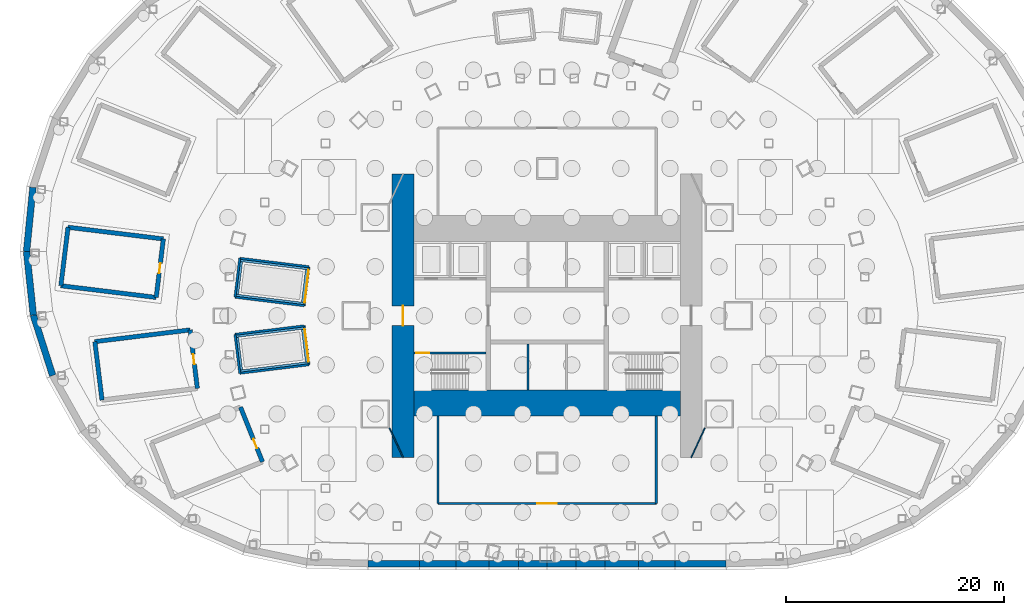
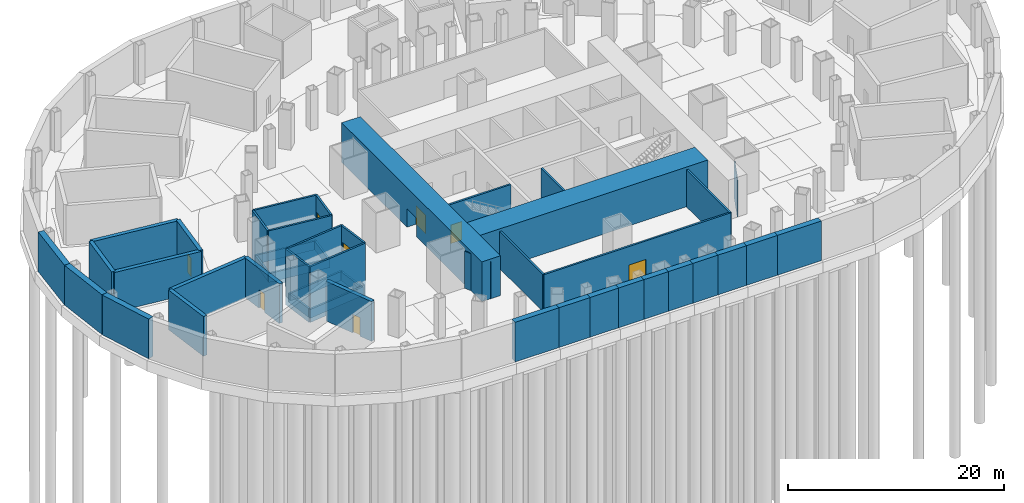
# One storey, part 4 of 11: 46 walls, 8 doors, 8 openings.
"""IFC4 building model written with IfcOpenShell, lengths in metres."""

from ifc_helpers import new_model, si_unit, direction, frame, frame_2d, origin, place, context, subcontext, project, spatial, rectangle, extrude, material, layer, layer_set, type_object, element, fill, save


model = new_model("IFC4")

# Units and contexts
model_context = context("Model", 3, precision=1e-05, world=origin(), true_north=direction((0.0, 1.0)))
body_context = subcontext(model_context, "Body", "Model", "MODEL_VIEW")
ifc_project = project(units=[si_unit("LENGTHUNIT", "METRE"), si_unit("AREAUNIT", "SQUARE_METRE"), si_unit("VOLUMEUNIT", "CUBIC_METRE"), si_unit("PLANEANGLEUNIT", "RADIAN"), si_unit("MASSUNIT", "GRAM", prefix="KILO")], contexts=[model_context])

# Site, building, storey
site_placement = place(None, origin())
site = spatial("IfcSite", under=ifc_project, at=site_placement, CompositionType="ELEMENT")
building_placement = place(site_placement, origin())
building = spatial("IfcBuilding", under=site, at=building_placement, Name="Lantaw Convention Tower", CompositionType="ELEMENT")
storey_placement = place(building_placement, frame((0.0, 0.0, -10.0)))
storey = spatial("IfcBuildingStorey", under=building, at=storey_placement, Name="B2", CompositionType="ELEMENT", Elevation=-10.0)

# Walls
ifc_material_1 = material(Name="Concrete C40/50", Category="concrete")
ifc_layer_1 = layer(ifc_material_1, 0.60009765625)
ifc_layer_set_1 = layer_set([ifc_layer_1], Name="Basement wall 600")
wall_type_1 = type_object("IfcWallType", Name="Basement wall 600", PredefinedType="SOLIDWALL", material=ifc_layer_set_1)
wall_1_placement = place(storey_placement, frame((-47.114501953125, 11.758056640625, 0.0), z_axis=(0.0, 0.0, 1.0), x_axis=(-0.099068856923, -0.99508058045, 0.0)))
element("IfcWall", 1, at=wall_1_placement, inside=storey, type_object=wall_type_1, Name="Basement retaining wall 23", PredefinedType="SOLIDWALL", context=body_context, shape_type="SweptSolid", body=[
    extrude(rectangle(XDim=5.892333984375, YDim=0.60009765625, at=frame_2d((2.9462890625, 0.0))), origin(), (0.0, 0.0, 1.0), 4.5),
])
wall_2_placement = place(storey_placement, frame((-47.6982421875, 5.894775390625, 0.0), z_axis=(0.0, 0.0, 1.0), x_axis=(0.105848228596, -0.994382296958, 0.0)))
element("IfcWall", 2, at=wall_2_placement, inside=storey, type_object=wall_type_1, Name="Basement retaining wall 24", PredefinedType="SOLIDWALL", context=body_context, shape_type="SweptSolid", body=[
    extrude(rectangle(XDim=5.865478515625, YDim=0.60009765625, at=frame_2d((2.9326171875, 0.0))), origin(), (0.0, 0.0, 1.0), 4.5),
])
wall_3_placement = place(storey_placement, frame((-47.077392578125, 0.062255859375, 0.0), z_axis=(0.0, 0.0, 1.0), x_axis=(0.304958517607, -0.9523656349, 0.0)))
element("IfcWall", 3, at=wall_3_placement, inside=storey, type_object=wall_type_1, Name="Basement retaining wall 25", PredefinedType="SOLIDWALL", context=body_context, shape_type="SweptSolid", body=[
    extrude(rectangle(XDim=5.8154296875, YDim=0.60009765625, at=frame_2d((2.90771484375, 0.0))), origin(), (0.0, 0.0, 1.0), 4.5),
])
wall_4_placement = place(storey_placement, frame((-16.4013671875, -22.699951171875, 0.0), z_axis=(0.0, 0.0, 1.0), x_axis=(1.0, 0.0, 0.0)))
element("IfcWall", 4, at=wall_4_placement, inside=storey, type_object=wall_type_1, Name="Basement retaining wall 32", PredefinedType="SOLIDWALL", context=body_context, shape_type="SweptSolid", body=[
    extrude(rectangle(XDim=4.682373046875, YDim=0.60009765625, at=frame_2d((2.34130859375, 0.0))), origin(), (0.0, 0.0, 1.0), 4.5),
])
wall_5_placement = place(storey_placement, frame((-11.718994140625, -22.699951171875, 0.0), z_axis=(0.0, 0.0, 1.0), x_axis=(1.0, 0.0, 0.0)))
element("IfcWall", 5, at=wall_5_placement, inside=storey, type_object=wall_type_1, Name="Basement retaining wall 33", PredefinedType="SOLIDWALL", context=body_context, shape_type="SweptSolid", body=[
    extrude(rectangle(XDim=3.34765625, YDim=0.60009765625, at=frame_2d((1.673828125, 0.0))), origin(), (0.0, 0.0, 1.0), 4.5),
])
wall_6_placement = place(storey_placement, frame((-8.371337890625, -22.699951171875, 0.0), z_axis=(0.0, 0.0, 1.0), x_axis=(1.0, 0.0, 0.0)))
element("IfcWall", 6, at=wall_6_placement, inside=storey, type_object=wall_type_1, Name="Basement retaining wall 34", PredefinedType="SOLIDWALL", context=body_context, shape_type="SweptSolid", body=[
    extrude(rectangle(XDim=3.061279296875, YDim=0.60009765625, at=frame_2d((1.53076171875, 0.0))), origin(), (0.0, 0.0, 1.0), 4.5),
])
wall_7_placement = place(storey_placement, frame((-5.31005859375, -22.699951171875, 0.0), z_axis=(0.0, 0.0, 1.0), x_axis=(1.0, 0.0, 0.0)))
element("IfcWall", 7, at=wall_7_placement, inside=storey, type_object=wall_type_1, Name="Basement retaining wall 35", PredefinedType="SOLIDWALL", context=body_context, shape_type="SweptSolid", body=[
    extrude(rectangle(XDim=2.689453125, YDim=0.60009765625, at=frame_2d((1.3447265625, 0.0))), origin(), (0.0, 0.0, 1.0), 4.5),
])
for number, where, z_axis, x_axis, name in (
    (8, (-2.62060546875, -22.699951171875, 0.0), (0.0, 0.0, 1.0), (1.0, 0.0, 0.0), "Basement retaining wall 36"),
    (9, (0.0, -22.699951171875, 0.0), (0.0, 0.0, 1.0), (1.0, 0.0, 0.0), "Basement retaining wall 37"),
):
    element("IfcWall", number, at=place(storey_placement, frame(where, z_axis=z_axis, x_axis=x_axis)), inside=storey, type_object=wall_type_1, Name=name, PredefinedType="SOLIDWALL", context=body_context, shape_type="SweptSolid", body=[
        extrude(rectangle(XDim=2.62060546875, YDim=0.60009765625, at=frame_2d((1.310302734375, 0.0))), origin(), (0.0, 0.0, 1.0), 4.5),
    ])
wall_8_placement = place(storey_placement, frame((2.62060546875, -22.699951171875, 0.0), z_axis=(0.0, 0.0, 1.0), x_axis=(1.0, 0.0, 0.0)))
element("IfcWall", 10, at=wall_8_placement, inside=storey, type_object=wall_type_1, Name="Basement retaining wall 38", PredefinedType="SOLIDWALL", context=body_context, shape_type="SweptSolid", body=[
    extrude(rectangle(XDim=2.689453125, YDim=0.60009765625, at=frame_2d((1.3447265625, 0.0))), origin(), (0.0, 0.0, 1.0), 4.5),
])
wall_9_placement = place(storey_placement, frame((5.31005859375, -22.699951171875, 0.0), z_axis=(0.0, 0.0, 1.0), x_axis=(1.0, 0.0, 0.0)))
element("IfcWall", 11, at=wall_9_placement, inside=storey, type_object=wall_type_1, Name="Basement retaining wall 39", PredefinedType="SOLIDWALL", context=body_context, shape_type="SweptSolid", body=[
    extrude(rectangle(XDim=3.061279296875, YDim=0.60009765625, at=frame_2d((1.53076171875, 0.0))), origin(), (0.0, 0.0, 1.0), 4.5),
])
wall_10_placement = place(storey_placement, frame((8.371337890625, -22.699951171875, 0.0), z_axis=(0.0, 0.0, 1.0), x_axis=(1.0, 0.0, 0.0)))
element("IfcWall", 12, at=wall_10_placement, inside=storey, type_object=wall_type_1, Name="Basement retaining wall 40", PredefinedType="SOLIDWALL", context=body_context, shape_type="SweptSolid", body=[
    extrude(rectangle(XDim=3.34765625, YDim=0.60009765625, at=frame_2d((1.673828125, 0.0))), origin(), (0.0, 0.0, 1.0), 4.5),
])
wall_11_placement = place(storey_placement, frame((11.718994140625, -22.699951171875, 0.0), z_axis=(0.0, 0.0, 1.0), x_axis=(1.0, 0.0, 0.0)))
element("IfcWall", 13, at=wall_11_placement, inside=storey, type_object=wall_type_1, Name="Basement retaining wall 41", PredefinedType="SOLIDWALL", context=body_context, shape_type="SweptSolid", body=[
    extrude(rectangle(XDim=4.682373046875, YDim=0.60009765625, at=frame_2d((2.34130859375, 0.0))), origin(), (0.0, 0.0, 1.0), 4.5),
])

# Wall, opening, door
ifc_material_2 = material(Name="Concrete C60/75", Category="concrete")
ifc_layer_2 = layer(ifc_material_2, 0.199951171875)
ifc_layer_set_2 = layer_set([ifc_layer_2], Name="Core wall 200")
wall_type_2 = type_object("IfcWallType", Name="Core wall 200", PredefinedType="SHEAR", material=ifc_layer_set_2)
wall_12_placement = place(storey_placement, frame((-5.60009765625, -3.39990234375, 0.0), z_axis=(0.0, 0.0, 1.0), x_axis=(-1.0, 0.0, 0.0)))
wall_12 = element("IfcWall", 14, at=wall_12_placement, inside=storey, type_object=wall_type_2, Name="Core wall WS", PredefinedType="SHEAR", context=body_context, shape_type="SweptSolid", body=[
    extrude(rectangle(XDim=6.599853515625, YDim=0.199951171875, at=frame_2d((3.2998046875, 0.0))), origin(), (0.0, 0.0, 1.0), 4.5),
])
opening_1_placement = place(wall_12_placement, frame((5.199951171875, 0.0, 0.0)))
opening_1 = element("IfcOpeningElement", 15, at=opening_1_placement, cuts=wall_12, Name="Opening B2.04", PredefinedType="OPENING", context=body_context, shape_type="SweptSolid", body=[
    extrude(rectangle(XDim=1.199951171875, YDim=2.10009765625, at=frame_2d((0.60009765625, 1.050048828125))), frame((0.0, 0.10986328125, 0.0), z_axis=(0.0, -1.0, 0.0), x_axis=(1.0, 0.0, 0.0)), (0.0, 0.0, 1.0), 0.219970703125),
])
ifc_material_3 = material(Name="Steel, fire rated", Category="steel")
door_type_1 = type_object("IfcDoorType", Name="Stair door FD90", OperationType="SINGLE_SWING_RIGHT", PredefinedType="DOOR", material=ifc_material_3)
door_1_placement = place(opening_1_placement, origin())
door_1 = element("IfcDoor", 16, at=door_1_placement, inside=storey, type_object=door_type_1, Name="Exit stair door", OperationType="SINGLE_SWING_RIGHT", OverallHeight=2.10009765625, OverallWidth=1.199951171875, PredefinedType="DOOR", context=body_context, shape_type="SweptSolid", body=[
    extrude(rectangle(XDim=1.199951171875, YDim=2.10009765625, at=frame_2d((0.60009765625, 1.050048828125))), frame((0.0, 0.02490234375, 0.0), z_axis=(0.0, -1.0, 0.0), x_axis=(1.0, 0.0, 0.0)), (0.0, 0.0, 1.0), 0.050048828125),
])
fill(opening_1, door_1)

ifc_layer_3 = layer(ifc_material_2, 2.0)
ifc_layer_set_3 = layer_set([ifc_layer_3], Name="Core wall 2000")
wall_type_3 = type_object("IfcWallType", Name="Core wall 2000", PredefinedType="SHEAR", material=ifc_layer_set_3)
wall_13_placement = place(storey_placement, frame((-13.199951171875, 13.0, 0.0), z_axis=(0.0, 0.0, 1.0), x_axis=(0.0, -1.0, 0.0)))
wall_13 = element("IfcWall", 17, at=wall_13_placement, inside=storey, type_object=wall_type_3, Name="Core wall W", PredefinedType="SHEAR", context=body_context, shape_type="SweptSolid", body=[
    extrude(rectangle(XDim=26.0, YDim=2.0, at=frame_2d((13.0, 0.0))), origin(), (0.0, 0.0, 1.0), 4.5),
])
opening_2_placement = place(wall_13_placement, frame((12.10009765625, 0.0, 0.0)))
opening_2 = element("IfcOpeningElement", 18, at=opening_2_placement, cuts=wall_13, Name="Opening B2.06", PredefinedType="OPENING", context=body_context, shape_type="SweptSolid", body=[
    extrude(rectangle(XDim=1.800048828125, YDim=2.10009765625, at=frame_2d((0.89990234375, 1.050048828125))), frame((0.0, 1.010009765625, 0.0), z_axis=(0.0, -1.0, 0.0), x_axis=(1.0, 0.0, 0.0)), (0.0, 0.0, 1.0), 2.02001953125),
])
door_type_2 = type_object("IfcDoorType", Name="Lobby double door FD90", OperationType="DOUBLE_DOOR_DOUBLE_SWING", PredefinedType="DOOR", material=ifc_material_3)
door_2_placement = place(opening_2_placement, origin())
door_2 = element("IfcDoor", 19, at=door_2_placement, inside=storey, type_object=door_type_2, Name="Firefighting lobby door", OperationType="DOUBLE_DOOR_DOUBLE_SWING", OverallHeight=2.10009765625, OverallWidth=1.800048828125, PredefinedType="DOOR", context=body_context, shape_type="SweptSolid", body=[
    extrude(rectangle(XDim=1.800048828125, YDim=2.10009765625, at=frame_2d((0.89990234375, 1.050048828125))), frame((0.0, 0.02490234375, 0.0), z_axis=(0.0, -1.0, 0.0), x_axis=(1.0, 0.0, 0.0)), (0.0, 0.0, 1.0), 0.050048828125),
])
fill(opening_2, door_2)

# Walls
ifc_layer_4 = layer(ifc_material_2, 2.39990234375)
ifc_layer_set_4 = layer_set([ifc_layer_4], Name="Core wall 2400")
wall_type_4 = type_object("IfcWallType", Name="Core wall 2400", PredefinedType="SHEAR", material=ifc_layer_set_4)
wall_14_placement = place(storey_placement, frame((-12.199951171875, -8.0, 0.0), z_axis=(0.0, 0.0, 1.0), x_axis=(1.0, 0.0, 0.0)))
element("IfcWall", 20, at=wall_14_placement, inside=storey, type_object=wall_type_4, Name="Core wall S", PredefinedType="SHEAR", context=body_context, shape_type="SweptSolid", body=[
    extrude(rectangle(XDim=24.39990234375, YDim=2.39990234375, at=frame_2d((12.199951171875, 0.0))), origin(), (0.0, 0.0, 1.0), 4.5),
])
ifc_layer_5 = layer(ifc_material_1, 0.199951171875)
ifc_layer_set_5 = layer_set([ifc_layer_5], Name="Lift pit wall 200")
wall_type_5 = type_object("IfcWallType", Name="Lift pit wall 200", PredefinedType="SOLIDWALL", material=ifc_layer_set_5)
wall_15_placement = place(storey_placement, frame((-21.938720703125, 4.3056640625, -1.800048828125), z_axis=(0.0, 0.0, 1.0), x_axis=(-0.992545711723, 0.121872926199, 0.0)))
element("IfcWall", 21, at=wall_15_placement, inside=storey, type_object=wall_type_5, Name="Lift pit wall", PredefinedType="SOLIDWALL", context=body_context, shape_type="SweptSolid", body=[
    extrude(rectangle(XDim=6.199951171875, YDim=0.199951171875, at=frame_2d((3.10009765625, 0.0))), origin(), (0.0, 0.0, 1.0), 1.0),
])
wall_16_placement = place(storey_placement, frame((-28.005615234375, 4.949951171875, -1.800048828125), z_axis=(0.0, 0.0, 1.0), x_axis=(-0.121820978688, -0.992552088886, 0.0)))
element("IfcWall", 22, at=wall_16_placement, inside=storey, type_object=wall_type_5, Name="Lift pit wall", PredefinedType="SOLIDWALL", context=body_context, shape_type="SweptSolid", body=[
    extrude(rectangle(XDim=3.000244140625, YDim=0.199951171875, at=frame_2d((1.5, 0.0))), origin(), (0.0, 0.0, 1.0), 1.0),
])
wall_17_placement = place(storey_placement, frame((-28.482666015625, 1.88525390625, -1.800048828125), z_axis=(0.0, 0.0, 1.0), x_axis=(0.992545711723, -0.121872926199, 0.0)))
element("IfcWall", 23, at=wall_17_placement, inside=storey, type_object=wall_type_5, Name="Lift pit wall", PredefinedType="SOLIDWALL", context=body_context, shape_type="SweptSolid", body=[
    extrude(rectangle(XDim=6.199951171875, YDim=0.199951171875, at=frame_2d((3.10009765625, 0.0))), origin(), (0.0, 0.0, 1.0), 1.0),
])
wall_18_placement = place(storey_placement, frame((-22.415771484375, 1.240966796875, -1.800048828125), z_axis=(0.0, 0.0, 1.0), x_axis=(0.121820978688, 0.992552088886, 0.0)))
element("IfcWall", 24, at=wall_18_placement, inside=storey, type_object=wall_type_5, Name="Lift pit wall", PredefinedType="SOLIDWALL", context=body_context, shape_type="SweptSolid", body=[
    extrude(rectangle(XDim=3.000244140625, YDim=0.199951171875, at=frame_2d((1.5, 0.0))), origin(), (0.0, 0.0, 1.0), 1.0),
])
wall_19_placement = place(storey_placement, frame((-22.328857421875, -1.129638671875, -1.800048828125), z_axis=(0.0, 0.0, 1.0), x_axis=(-0.992545711723, -0.121872926199, 0.0)))
element("IfcWall", 25, at=wall_19_placement, inside=storey, type_object=wall_type_5, Name="Lift pit wall", PredefinedType="SOLIDWALL", context=body_context, shape_type="SweptSolid", body=[
    extrude(rectangle(XDim=6.199951171875, YDim=0.199951171875, at=frame_2d((3.10009765625, 0.0))), origin(), (0.0, 0.0, 1.0), 1.0),
])
wall_20_placement = place(storey_placement, frame((-28.37109375, -1.97216796875, -1.800048828125), z_axis=(0.0, 0.0, 1.0), x_axis=(0.121820978688, -0.992552088886, 0.0)))
element("IfcWall", 26, at=wall_20_placement, inside=storey, type_object=wall_type_5, Name="Lift pit wall", PredefinedType="SOLIDWALL", context=body_context, shape_type="SweptSolid", body=[
    extrude(rectangle(XDim=3.000244140625, YDim=0.199951171875, at=frame_2d((1.5, 0.0))), origin(), (0.0, 0.0, 1.0), 1.0),
])
wall_21_placement = place(storey_placement, frame((-28.092529296875, -5.061279296875, -1.800048828125), z_axis=(0.0, 0.0, 1.0), x_axis=(0.992545711723, 0.121872926199, 0.0)))
element("IfcWall", 27, at=wall_21_placement, inside=storey, type_object=wall_type_5, Name="Lift pit wall", PredefinedType="SOLIDWALL", context=body_context, shape_type="SweptSolid", body=[
    extrude(rectangle(XDim=6.199951171875, YDim=0.199951171875, at=frame_2d((3.10009765625, 0.0))), origin(), (0.0, 0.0, 1.0), 1.0),
])
wall_22_placement = place(storey_placement, frame((-22.05029296875, -4.21875, -1.800048828125), z_axis=(0.0, 0.0, 1.0), x_axis=(-0.121820978688, 0.992552088886, 0.0)))
element("IfcWall", 28, at=wall_22_placement, inside=storey, type_object=wall_type_5, Name="Lift pit wall", PredefinedType="SOLIDWALL", context=body_context, shape_type="SweptSolid", body=[
    extrude(rectangle(XDim=3.000244140625, YDim=0.199951171875, at=frame_2d((1.5, 0.0))), origin(), (0.0, 0.0, 1.0), 1.0),
])
ifc_material_4 = material(Name="Concrete blockwork, fire rated", Category="masonry")
ifc_layer_6 = layer(ifc_material_4, 0.199951171875)
ifc_layer_set_6 = layer_set([ifc_layer_6], Name="Lift shaft wall 200 EI 120 load-bearing")
wall_type_6 = type_object("IfcWallType", Name="Lift shaft wall 200 EI 120 load-bearing", PredefinedType="SOLIDWALL", material=ifc_layer_set_6)
wall_23_placement = place(storey_placement, frame((-21.815185546875, 4.4921875, -2.10009765625), z_axis=(0.0, 0.0, 1.0), x_axis=(-0.992549526583, 0.121841853565, 0.0)))
element("IfcWall", 29, at=wall_23_placement, inside=storey, type_object=wall_type_6, Name="Lift shaft wall", PredefinedType="SOLIDWALL", context=body_context, shape_type="SweptSolid", body=[
    extrude(rectangle(XDim=6.39990234375, YDim=0.199951171875, at=frame_2d((3.199951171875, 0.0))), origin(), (0.0, 0.0, 1.0), 6.300048828125),
])
wall_24_placement = place(storey_placement, frame((-28.16748046875, 5.27197265625, -2.10009765625), z_axis=(0.0, 0.0, 1.0), x_axis=(-0.121872547154, -0.992545758265, 0.0)))
element("IfcWall", 30, at=wall_24_placement, inside=storey, type_object=wall_type_6, Name="Lift shaft wall", PredefinedType="SOLIDWALL", context=body_context, shape_type="SweptSolid", body=[
    extrude(rectangle(XDim=3.599853515625, YDim=0.199951171875, at=frame_2d((1.7998046875, 0.0))), origin(), (0.0, 0.0, 1.0), 6.300048828125),
])
wall_25_placement = place(storey_placement, frame((-28.606201171875, 1.698974609375, -2.10009765625), z_axis=(0.0, 0.0, 1.0), x_axis=(0.992544912608, -0.121879434097, 0.0)))
element("IfcWall", 31, at=wall_25_placement, inside=storey, type_object=wall_type_6, Name="Lift shaft wall", PredefinedType="SOLIDWALL", context=body_context, shape_type="SweptSolid", body=[
    extrude(rectangle(XDim=6.39990234375, YDim=0.199951171875, at=frame_2d((3.199951171875, 0.0))), origin(), (0.0, 0.0, 1.0), 6.300048828125),
])

# Wall, opening, door
wall_26_placement = place(storey_placement, frame((-22.25390625, 0.9189453125, -2.10009765625), z_axis=(0.0, 0.0, 1.0), x_axis=(0.121864343918, 0.992546765488, 0.0)))
wall_26 = element("IfcWall", 32, at=wall_26_placement, inside=storey, type_object=wall_type_6, Name="Lift shaft wall", PredefinedType="SOLIDWALL", context=body_context, shape_type="SweptSolid", body=[
    extrude(rectangle(XDim=3.60009765625, YDim=0.199951171875, at=frame_2d((1.800048828125, 0.0))), origin(), (0.0, 0.0, 1.0), 6.300048828125),
])
opening_3_placement = place(wall_26_placement, frame((0.300048828125, 0.0, 2.10009765625)))
opening_3 = element("IfcOpeningElement", 33, at=opening_3_placement, cuts=wall_26, Name="Opening LDCL1", PredefinedType="OPENING", context=body_context, shape_type="SweptSolid", body=[
    extrude(rectangle(XDim=3.0, YDim=2.39990234375, at=frame_2d((1.5, 1.199951171875))), frame((0.0, 0.10986328125, 0.0), z_axis=(0.0, -1.0, 0.0), x_axis=(1.0, 0.0, 0.0)), (0.0, 0.0, 1.0), 0.219970703125),
])
ifc_material_5 = material(Name="Stainless steel", Category="steel")
door_type_3 = type_object("IfcDoorType", Name="Car lift gate 3000x2400", OperationType="DOUBLE_DOOR_SLIDING", PredefinedType="DOOR", material=ifc_material_5)
door_3_placement = place(opening_3_placement, origin())
door_3 = element("IfcDoor", 34, at=door_3_placement, inside=storey, type_object=door_type_3, Name="Lift landing door CL1", OperationType="DOUBLE_DOOR_SLIDING", OverallHeight=2.39990234375, OverallWidth=3.0, PredefinedType="DOOR", context=body_context, shape_type="SweptSolid", body=[
    extrude(rectangle(XDim=3.0, YDim=2.39990234375, at=frame_2d((1.5, 1.199951171875))), frame((0.0, 0.02490234375, 0.0), z_axis=(0.0, -1.0, 0.0), x_axis=(1.0, 0.0, 0.0)), (0.0, 0.0, 1.0), 0.050048828125),
])
fill(opening_3, door_3)

# Walls
wall_27_placement = place(storey_placement, frame((-22.25390625, -0.9189453125, -2.10009765625), z_axis=(0.0, 0.0, 1.0), x_axis=(-0.992544912608, -0.121879434097, 0.0)))
element("IfcWall", 35, at=wall_27_placement, inside=storey, type_object=wall_type_6, Name="Lift shaft wall", PredefinedType="SOLIDWALL", context=body_context, shape_type="SweptSolid", body=[
    extrude(rectangle(XDim=6.39990234375, YDim=0.199951171875, at=frame_2d((3.199951171875, 0.0))), origin(), (0.0, 0.0, 1.0), 6.300048828125),
])
wall_28_placement = place(storey_placement, frame((-28.606201171875, -1.698974609375, -2.10009765625), z_axis=(0.0, 0.0, 1.0), x_axis=(0.121872547154, -0.992545758265, 0.0)))
element("IfcWall", 36, at=wall_28_placement, inside=storey, type_object=wall_type_6, Name="Lift shaft wall", PredefinedType="SOLIDWALL", context=body_context, shape_type="SweptSolid", body=[
    extrude(rectangle(XDim=3.599853515625, YDim=0.199951171875, at=frame_2d((1.7998046875, 0.0))), origin(), (0.0, 0.0, 1.0), 6.300048828125),
])
wall_29_placement = place(storey_placement, frame((-28.16748046875, -5.27197265625, -2.10009765625), z_axis=(0.0, 0.0, 1.0), x_axis=(0.992549526583, 0.121841853565, 0.0)))
element("IfcWall", 37, at=wall_29_placement, inside=storey, type_object=wall_type_6, Name="Lift shaft wall", PredefinedType="SOLIDWALL", context=body_context, shape_type="SweptSolid", body=[
    extrude(rectangle(XDim=6.39990234375, YDim=0.199951171875, at=frame_2d((3.199951171875, 0.0))), origin(), (0.0, 0.0, 1.0), 6.300048828125),
])

# Wall, opening, door
wall_30_placement = place(storey_placement, frame((-21.815185546875, -4.4921875, -2.10009765625), z_axis=(0.0, 0.0, 1.0), x_axis=(-0.121864343918, 0.992546765488, 0.0)))
wall_30 = element("IfcWall", 38, at=wall_30_placement, inside=storey, type_object=wall_type_6, Name="Lift shaft wall", PredefinedType="SOLIDWALL", context=body_context, shape_type="SweptSolid", body=[
    extrude(rectangle(XDim=3.60009765625, YDim=0.199951171875, at=frame_2d((1.800048828125, 0.0))), origin(), (0.0, 0.0, 1.0), 6.300048828125),
])
opening_4_placement = place(wall_30_placement, frame((0.300048828125, 0.0, 2.10009765625)))
opening_4 = element("IfcOpeningElement", 39, at=opening_4_placement, cuts=wall_30, Name="Opening LDCL2", PredefinedType="OPENING", context=body_context, shape_type="SweptSolid", body=[
    extrude(rectangle(XDim=3.0, YDim=2.39990234375, at=frame_2d((1.5, 1.199951171875))), frame((0.0, 0.10986328125, 0.0), z_axis=(0.0, -1.0, 0.0), x_axis=(1.0, 0.0, 0.0)), (0.0, 0.0, 1.0), 0.219970703125),
])
door_4_placement = place(opening_4_placement, origin())
door_4 = element("IfcDoor", 40, at=door_4_placement, inside=storey, type_object=door_type_3, Name="Lift landing door CL2", OperationType="DOUBLE_DOOR_SLIDING", OverallHeight=2.39990234375, OverallWidth=3.0, PredefinedType="DOOR", context=body_context, shape_type="SweptSolid", body=[
    extrude(rectangle(XDim=3.0, YDim=2.39990234375, at=frame_2d((1.5, 1.199951171875))), frame((0.0, 0.02490234375, 0.0), z_axis=(0.0, -1.0, 0.0), x_axis=(1.0, 0.0, 0.0)), (0.0, 0.0, 1.0), 0.050048828125),
])
fill(opening_4, door_4)

# Walls
ifc_material_6 = material(Name="Gypsum board on steel studs, acoustic", Category="steel")
ifc_layer_7 = layer(ifc_material_6, 0.10009765625)
ifc_layer_set_7 = layer_set([ifc_layer_7], Name="Office partition 100")
wall_type_7 = type_object("IfcWallType", Name="Office partition 100", PredefinedType="PARTITIONING", material=ifc_layer_set_7)
for number, where, z_axis, x_axis, name in (
    (41, (13.199951171875, -13.0, 0.0), (0.0, 0.0, 1.0), (0.420129824888, 0.907464010437, 0.0), "Office partition 100"),
    (42, (-13.199951171875, -13.0, 0.0), (0.0, 0.0, 1.0), (-0.420129824888, 0.907464010437, 0.0), "Office partition 100"),
):
    element("IfcWall", number, at=place(storey_placement, frame(where, z_axis=z_axis, x_axis=x_axis)), inside=storey, type_object=wall_type_7, Name=name, PredefinedType="PARTITIONING", context=body_context, shape_type="SweptSolid", body=[
        extrude(rectangle(XDim=2.975341796875, YDim=0.10009765625, at=frame_2d((1.48779296875, 0.0))), origin(), (0.0, 0.0, 1.0), 4.199951171875),
    ])

# Wall, opening, door
ifc_layer_8 = layer(ifc_material_4, 0.199951171875)
ifc_layer_set_8 = layer_set([ifc_layer_8], Name="Plant room wall 200 EI 120")
wall_type_8 = type_object("IfcWallType", Name="Plant room wall 200 EI 120", PredefinedType="SOLIDWALL", material=ifc_layer_set_8)
wall_31_placement = place(storey_placement, frame((-10.0, -17.199951171875, 0.0), z_axis=(0.0, 0.0, 1.0), x_axis=(1.0, 0.0, 0.0)))
wall_31 = element("IfcWall", 43, at=wall_31_placement, inside=storey, type_object=wall_type_8, Name="Plant room wall 200", PredefinedType="SOLIDWALL", context=body_context, shape_type="SweptSolid", body=[
    extrude(rectangle(XDim=20.0, YDim=0.199951171875, at=frame_2d((10.0, 0.0))), origin(), (0.0, 0.0, 1.0), 4.199951171875),
])
opening_5_placement = place(wall_31_placement, frame((9.10009765625, 0.0, 0.0)))
opening_5 = element("IfcOpeningElement", 44, at=opening_5_placement, cuts=wall_31, Name="Opening B2.12", PredefinedType="OPENING", context=body_context, shape_type="SweptSolid", body=[
    extrude(rectangle(XDim=1.800048828125, YDim=2.10009765625, at=frame_2d((0.89990234375, 1.050048828125))), frame((0.0, 0.10986328125, 0.0), z_axis=(0.0, -1.0, 0.0), x_axis=(1.0, 0.0, 0.0)), (0.0, 0.0, 1.0), 0.219970703125),
])
door_type_4 = type_object("IfcDoorType", Name="Plant room double door FD90", OperationType="DOUBLE_DOOR_DOUBLE_SWING", PredefinedType="DOOR", material=ifc_material_3)
door_5_placement = place(opening_5_placement, origin())
door_5 = element("IfcDoor", 45, at=door_5_placement, inside=storey, type_object=door_type_4, Name="Chiller plant room door", OperationType="DOUBLE_DOOR_DOUBLE_SWING", OverallHeight=2.10009765625, OverallWidth=1.800048828125, PredefinedType="DOOR", context=body_context, shape_type="SweptSolid", body=[
    extrude(rectangle(XDim=1.800048828125, YDim=2.10009765625, at=frame_2d((0.89990234375, 1.050048828125))), frame((0.0, 0.02490234375, 0.0), z_axis=(0.0, -1.0, 0.0), x_axis=(1.0, 0.0, 0.0)), (0.0, 0.0, 1.0), 0.050048828125),
])
fill(opening_5, door_5)

# Walls
for number, where, z_axis, x_axis, name in (
    (46, (-10.0, -9.199951171875, 0.0), (0.0, 0.0, 1.0), (0.0, -1.0, 0.0), "Plant room wall 200"),
    (47, (10.0, -9.199951171875, 0.0), (0.0, 0.0, 1.0), (0.0, -1.0, 0.0), "Plant room wall 200"),
):
    element("IfcWall", number, at=place(storey_placement, frame(where, z_axis=z_axis, x_axis=x_axis)), inside=storey, type_object=wall_type_8, Name=name, PredefinedType="SOLIDWALL", context=body_context, shape_type="SweptSolid", body=[
        extrude(rectangle(XDim=8.0, YDim=0.199951171875, at=frame_2d((4.0, 0.0))), origin(), (0.0, 0.0, 1.0), 4.199951171875),
    ])
ifc_layer_9 = layer(ifc_material_4, 0.199951171875)
ifc_layer_set_9 = layer_set([ifc_layer_9], Name="Shaft wall 200 load-bearing")
wall_type_9 = type_object("IfcWallType", Name="Shaft wall 200 load-bearing", PredefinedType="SOLIDWALL", material=ifc_layer_set_9)
wall_32_placement = place(storey_placement, frame((-1.7666015625, -2.60009765625, 0.0), z_axis=(0.0, 0.0, 1.0), x_axis=(0.0, -1.0, 0.0)))
element("IfcWall", 48, at=wall_32_placement, inside=storey, type_object=wall_type_9, Name="Shaft wall DS1", PredefinedType="SOLIDWALL", context=body_context, shape_type="SweptSolid", body=[
    extrude(rectangle(XDim=4.199951171875, YDim=0.199951171875, at=frame_2d((2.10009765625, 0.0))), origin(), (0.0, 0.0, 1.0), 4.5),
])
ifc_material_7 = material(Name="Concrete C40/50, stair core", Category="concrete")
ifc_layer_10 = layer(ifc_material_7, 0.39990234375)
ifc_layer_set_10 = layer_set([ifc_layer_10], Name="Stair core wall 400 EI 120")
wall_type_10 = type_object("IfcWallType", Name="Stair core wall 400 EI 120", PredefinedType="SHEAR", material=ifc_layer_set_10)
wall_33_placement = place(storey_placement, frame((-35.164794921875, 7.037841796875, 0.0), z_axis=(0.0, 0.0, 1.0), x_axis=(-0.992545280606, 0.121876437212, 0.0)))
element("IfcWall", 49, at=wall_33_placement, inside=storey, type_object=wall_type_10, Name="Stair core wall 400", PredefinedType="SHEAR", context=body_context, shape_type="SweptSolid", body=[
    extrude(rectangle(XDim=8.800048828125, YDim=0.39990234375, at=frame_2d((4.39990234375, 0.0))), origin(), (0.0, 0.0, 1.0), 4.5),
])
wall_34_placement = place(storey_placement, frame((-43.899169921875, 8.1103515625, 0.0), z_axis=(0.0, 0.0, 1.0), x_axis=(-0.12184754212, -0.99254882826, 0.0)))
element("IfcWall", 50, at=wall_34_placement, inside=storey, type_object=wall_type_10, Name="Stair core wall 400", PredefinedType="SHEAR", context=body_context, shape_type="SweptSolid", body=[
    extrude(rectangle(XDim=5.39990234375, YDim=0.39990234375, at=frame_2d((2.699951171875, 0.0))), origin(), (0.0, 0.0, 1.0), 4.5),
])
wall_35_placement = place(storey_placement, frame((-44.55712890625, 2.750732421875, 0.0), z_axis=(0.0, 0.0, 1.0), x_axis=(0.992545280606, -0.121876437212, 0.0)))
element("IfcWall", 51, at=wall_35_placement, inside=storey, type_object=wall_type_10, Name="Stair core wall 400", PredefinedType="SHEAR", context=body_context, shape_type="SweptSolid", body=[
    extrude(rectangle(XDim=8.800048828125, YDim=0.39990234375, at=frame_2d((4.39990234375, 0.0))), origin(), (0.0, 0.0, 1.0), 4.5),
])

# Wall, opening, door
wall_36_placement = place(storey_placement, frame((-35.82275390625, 1.67822265625, 0.0), z_axis=(0.0, 0.0, 1.0), x_axis=(0.12184754212, 0.99254882826, 0.0)))
wall_36 = element("IfcWall", 52, at=wall_36_placement, inside=storey, type_object=wall_type_10, Name="Stair core wall 400", PredefinedType="SHEAR", context=body_context, shape_type="SweptSolid", body=[
    extrude(rectangle(XDim=5.39990234375, YDim=0.39990234375, at=frame_2d((2.699951171875, 0.0))), origin(), (0.0, 0.0, 1.0), 4.5),
])
opening_6_placement = place(wall_36_placement, frame((2.25, 0.0, 0.0)))
opening_6 = element("IfcOpeningElement", 53, at=opening_6_placement, cuts=wall_36, Name="Opening B2.21", PredefinedType="OPENING", context=body_context, shape_type="SweptSolid", body=[
    extrude(rectangle(XDim=0.89990234375, YDim=2.10009765625, at=frame_2d((0.449951171875, 1.050048828125))), frame((0.0, 0.2099609375, 0.0), z_axis=(0.0, -1.0, 0.0), x_axis=(1.0, 0.0, 0.0)), (0.0, 0.0, 1.0), 0.419921875),
])
door_type_5 = type_object("IfcDoorType", Name="Store door 900 FD60", OperationType="SINGLE_SWING_LEFT", PredefinedType="DOOR", material=ifc_material_3)
door_6_placement = place(opening_6_placement, origin())
door_6 = element("IfcDoor", 54, at=door_6_placement, inside=storey, type_object=door_type_5, Name="Store door", OperationType="SINGLE_SWING_LEFT", OverallHeight=2.10009765625, OverallWidth=0.89990234375, PredefinedType="DOOR", context=body_context, shape_type="SweptSolid", body=[
    extrude(rectangle(XDim=0.89990234375, YDim=2.10009765625, at=frame_2d((0.449951171875, 1.050048828125))), frame((0.0, 0.02490234375, 0.0), z_axis=(0.0, -1.0, 0.0), x_axis=(1.0, 0.0, 0.0)), (0.0, 0.0, 1.0), 0.050048828125),
])
fill(opening_6, door_6)

# Walls
wall_37_placement = place(storey_placement, frame((-32.70849609375, -1.2958984375, 0.0), z_axis=(0.0, 0.0, 1.0), x_axis=(-0.992545692684, -0.121873081252, 0.0)))
element("IfcWall", 55, at=wall_37_placement, inside=storey, type_object=wall_type_10, Name="Stair core wall 400", PredefinedType="SHEAR", context=body_context, shape_type="SweptSolid", body=[
    extrude(rectangle(XDim=8.80029296875, YDim=0.39990234375, at=frame_2d((4.400146484375, 0.0))), origin(), (0.0, 0.0, 1.0), 4.5),
])
wall_38_placement = place(storey_placement, frame((-41.443115234375, -2.368408203125, 0.0), z_axis=(0.0, 0.0, 1.0), x_axis=(0.121892082937, -0.992543359314, 0.0)))
element("IfcWall", 56, at=wall_38_placement, inside=storey, type_object=wall_type_10, Name="Stair core wall 400", PredefinedType="SHEAR", context=body_context, shape_type="SweptSolid", body=[
    extrude(rectangle(XDim=5.39990234375, YDim=0.39990234375, at=frame_2d((2.699951171875, 0.0))), origin(), (0.0, 0.0, 1.0), 4.5),
])

# Wall, opening, door
wall_39_placement = place(storey_placement, frame((-32.050537109375, -6.655517578125, 0.0), z_axis=(0.0, 0.0, 1.0), x_axis=(-0.12184754212, 0.99254882826, 0.0)))
wall_39 = element("IfcWall", 57, at=wall_39_placement, inside=storey, type_object=wall_type_10, Name="Stair core wall 400", PredefinedType="SHEAR", context=body_context, shape_type="SweptSolid", body=[
    extrude(rectangle(XDim=5.39990234375, YDim=0.39990234375, at=frame_2d((2.699951171875, 0.0))), origin(), (0.0, 0.0, 1.0), 4.5),
])
opening_7_placement = place(wall_39_placement, frame((2.25, 0.0, 0.0)))
opening_7 = element("IfcOpeningElement", 58, at=opening_7_placement, cuts=wall_39, Name="Opening B2.22", PredefinedType="OPENING", context=body_context, shape_type="SweptSolid", body=[
    extrude(rectangle(XDim=0.89990234375, YDim=2.10009765625, at=frame_2d((0.449951171875, 1.050048828125))), frame((0.0, 0.2099609375, 0.0), z_axis=(0.0, -1.0, 0.0), x_axis=(1.0, 0.0, 0.0)), (0.0, 0.0, 1.0), 0.419921875),
])
door_7_placement = place(opening_7_placement, origin())
door_7 = element("IfcDoor", 59, at=door_7_placement, inside=storey, type_object=door_type_5, Name="Store door", OperationType="SINGLE_SWING_LEFT", OverallHeight=2.10009765625, OverallWidth=0.89990234375, PredefinedType="DOOR", context=body_context, shape_type="SweptSolid", body=[
    extrude(rectangle(XDim=0.89990234375, YDim=2.10009765625, at=frame_2d((0.449951171875, 1.050048828125))), frame((0.0, 0.02490234375, 0.0), z_axis=(0.0, -1.0, 0.0), x_axis=(1.0, 0.0, 0.0)), (0.0, 0.0, 1.0), 0.050048828125),
])
fill(opening_7, door_7)

wall_40_placement = place(storey_placement, frame((-26.0869140625, -13.3818359375, 0.0), z_axis=(0.0, 0.0, 1.0), x_axis=(-0.372544066459, 0.928014503414, 0.0)))
wall_40 = element("IfcWall", 60, at=wall_40_placement, inside=storey, type_object=wall_type_10, Name="Stair core wall 400", PredefinedType="SHEAR", context=body_context, shape_type="SweptSolid", body=[
    extrude(rectangle(XDim=5.39990234375, YDim=0.39990234375, at=frame_2d((2.699951171875, 0.0))), origin(), (0.0, 0.0, 1.0), 4.5),
])
opening_8_placement = place(wall_40_placement, frame((1.35009765625, 0.0, 0.0)))
opening_8 = element("IfcOpeningElement", 61, at=opening_8_placement, cuts=wall_40, Name="Opening B2.23", PredefinedType="OPENING", context=body_context, shape_type="SweptSolid", body=[
    extrude(rectangle(XDim=0.89990234375, YDim=2.10009765625, at=frame_2d((0.449951171875, 1.050048828125))), frame((0.0, 0.2099609375, 0.0), z_axis=(0.0, -1.0, 0.0), x_axis=(1.0, 0.0, 0.0)), (0.0, 0.0, 1.0), 0.419921875),
])
door_8_placement = place(opening_8_placement, origin())
door_8 = element("IfcDoor", 62, at=door_8_placement, inside=storey, type_object=door_type_5, Name="Store door", OperationType="SINGLE_SWING_LEFT", OverallHeight=2.10009765625, OverallWidth=0.89990234375, PredefinedType="DOOR", context=body_context, shape_type="SweptSolid", body=[
    extrude(rectangle(XDim=0.89990234375, YDim=2.10009765625, at=frame_2d((0.449951171875, 1.050048828125))), frame((0.0, 0.02490234375, 0.0), z_axis=(0.0, -1.0, 0.0), x_axis=(1.0, 0.0, 0.0)), (0.0, 0.0, 1.0), 0.050048828125),
])
fill(opening_8, door_8)

save(model, "model.ifc")
